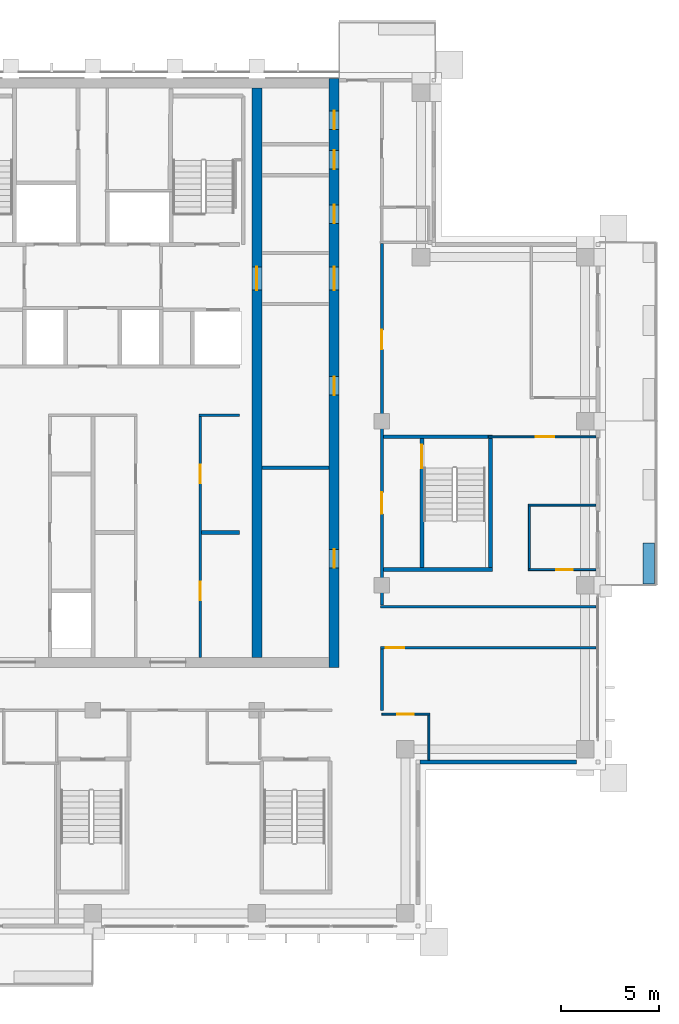
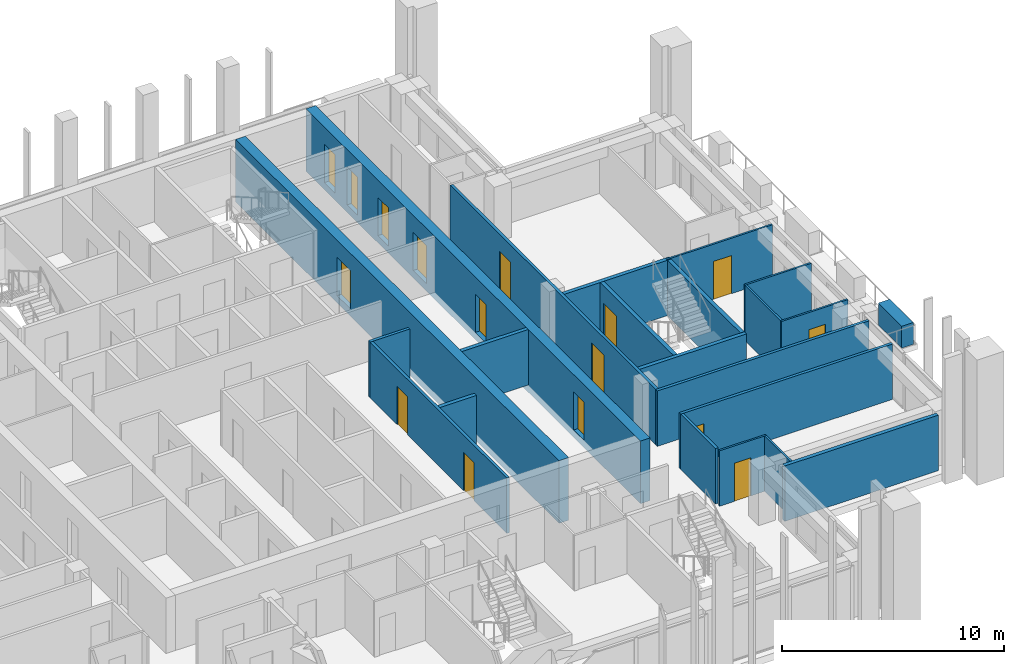
# One storey, part 9 of 16: 22 walls, 16 doors, 16 openings.
"""IFC4 building model written with IfcOpenShell, lengths in metres."""

from ifc_helpers import new_model, si_unit, direction, frame, frame_2d, origin, place, context, subcontext, project, spatial, rectangle, extrude, material, layer, layer_set, type_object, element, fill, save


model = new_model("IFC4")

# Units and contexts
model_context = context("Model", 3, precision=1e-05, world=origin(), true_north=direction((0.0, 1.0)))
body_context = subcontext(model_context, "Body", "Model", "MODEL_VIEW")
ifc_project = project(units=[si_unit("LENGTHUNIT", "METRE"), si_unit("AREAUNIT", "SQUARE_METRE"), si_unit("VOLUMEUNIT", "CUBIC_METRE"), si_unit("PLANEANGLEUNIT", "RADIAN"), si_unit("MASSUNIT", "GRAM", prefix="KILO")], contexts=[model_context])

# Site, building, storey
site_placement = place(None, origin())
site = spatial("IfcSite", under=ifc_project, at=site_placement, CompositionType="ELEMENT")
building_placement = place(site_placement, origin())
building = spatial("IfcBuilding", under=site, at=building_placement, Name="Vermilion Ogive Tower", CompositionType="ELEMENT")
storey_placement = place(building_placement, frame((0.0, 0.0, 247.60009765625)))
storey = spatial("IfcBuildingStorey", under=building, at=storey_placement, Name="L65", CompositionType="ELEMENT", Elevation=247.60009765625)

# Wall, openings, doors
ifc_material_1 = material(Name="Concrete B60", Category="concrete")
ifc_layer_1 = layer(ifc_material_1, 0.5)
ifc_layer_set_1 = layer_set([ifc_layer_1], Name="Core wall 500 B60")
wall_type_1 = type_object("IfcWallType", Name="Core wall 500 B60", PredefinedType="SHEAR", material=ifc_layer_set_1)
wall_1_placement = place(storey_placement, frame((12.35009765625, -8.39990234375, -0.400146484375), z_axis=(0.0, 0.0, 1.0), x_axis=(0.0, 1.0, 0.0)))
wall_1 = element("IfcWall", 1, at=wall_1_placement, inside=storey, type_object=wall_type_1, Name="L65-CORE-E", PredefinedType="SHEAR", context=body_context, shape_type="SweptSolid", body=[
    extrude(rectangle(XDim=30.14990234375, YDim=0.5, at=frame_2d((15.074951171875, 0.0))), origin(), (0.0, 0.0, 1.0), 3.449951171875),
])
opening_1_placement = place(wall_1_placement, frame((5.0830078125, 0.0, 0.39990234375)))
opening_1 = element("IfcOpeningElement", 2, at=opening_1_placement, cuts=wall_1, Name="Opening DAC117", PredefinedType="OPENING", context=body_context, shape_type="SweptSolid", body=[
    extrude(rectangle(XDim=0.949951171875, YDim=2.10009765625, at=frame_2d((0.47509765625, 1.050048828125))), frame((0.0, 0.260009765625, 0.0), z_axis=(0.0, -1.0, 0.0), x_axis=(1.0, 0.0, 0.0)), (0.0, 0.0, 1.0), 0.52001953125),
])
opening_2_placement = place(wall_1_placement, frame((13.932861328125, 0.0, 0.39990234375)))
opening_2 = element("IfcOpeningElement", 3, at=opening_2_placement, cuts=wall_1, Name="Opening DAC118", PredefinedType="OPENING", context=body_context, shape_type="SweptSolid", body=[
    extrude(rectangle(XDim=0.949951171875, YDim=2.10009765625, at=frame_2d((0.47509765625, 1.050048828125))), frame((0.0, 0.260009765625, 0.0), z_axis=(0.0, -1.0, 0.0), x_axis=(1.0, 0.0, 0.0)), (0.0, 0.0, 1.0), 0.52001953125),
])
opening_3_placement = place(wall_1_placement, frame((22.718994140625, 0.0, 0.39990234375)))
opening_3 = element("IfcOpeningElement", 4, at=opening_3_placement, cuts=wall_1, Name="Opening DAC119", PredefinedType="OPENING", context=body_context, shape_type="SweptSolid", body=[
    extrude(rectangle(XDim=0.949951171875, YDim=2.10009765625, at=frame_2d((0.47509765625, 1.050048828125))), frame((0.0, 0.260009765625, 0.0), z_axis=(0.0, -1.0, 0.0), x_axis=(1.0, 0.0, 0.0)), (0.0, 0.0, 1.0), 0.52001953125),
])
opening_4_placement = place(wall_1_placement, frame((25.505615234375, 0.0, 0.39990234375)))
opening_4 = element("IfcOpeningElement", 5, at=opening_4_placement, cuts=wall_1, Name="Opening DAC120", PredefinedType="OPENING", context=body_context, shape_type="SweptSolid", body=[
    extrude(rectangle(XDim=0.949951171875, YDim=2.10009765625, at=frame_2d((0.47509765625, 1.050048828125))), frame((0.0, 0.260009765625, 0.0), z_axis=(0.0, -1.0, 0.0), x_axis=(1.0, 0.0, 0.0)), (0.0, 0.0, 1.0), 0.52001953125),
])
opening_5_placement = place(wall_1_placement, frame((27.53662109375, 0.0, 0.39990234375)))
opening_5 = element("IfcOpeningElement", 6, at=opening_5_placement, cuts=wall_1, Name="Opening DAC121", PredefinedType="OPENING", context=body_context, shape_type="SweptSolid", body=[
    extrude(rectangle(XDim=0.949951171875, YDim=2.10009765625, at=frame_2d((0.47509765625, 1.050048828125))), frame((0.0, 0.260009765625, 0.0), z_axis=(0.0, -1.0, 0.0), x_axis=(1.0, 0.0, 0.0)), (0.0, 0.0, 1.0), 0.52001953125),
])
opening_6_placement = place(wall_1_placement, frame((19.300048828125, 0.0, 0.39990234375)))
opening_6 = element("IfcOpeningElement", 7, at=opening_6_placement, cuts=wall_1, Name="Opening DAL027", PredefinedType="OPENING", context=body_context, shape_type="SweptSolid", body=[
    extrude(rectangle(XDim=1.199951171875, YDim=2.10009765625, at=frame_2d((0.60009765625, 1.050048828125))), frame((0.0, 0.260009765625, 0.0), z_axis=(0.0, -1.0, 0.0), x_axis=(1.0, 0.0, 0.0)), (0.0, 0.0, 1.0), 0.52001953125),
])
ifc_material_2 = material(Name="Timber door leaf", Category="wood")
door_type_1 = type_object("IfcDoorType", Name="Link door 1200 x 2100 FD60S", OperationType="SINGLE_SWING_LEFT", PredefinedType="DOOR", material=ifc_material_2)
door_1_placement = place(opening_6_placement, origin())
door_1 = element("IfcDoor", 8, at=door_1_placement, inside=storey, type_object=door_type_1, Name="L65-CKE-XL", OperationType="SINGLE_SWING_LEFT", OverallHeight=2.10009765625, OverallWidth=1.199951171875, PredefinedType="DOOR", context=body_context, shape_type="SweptSolid", body=[
    extrude(rectangle(XDim=1.199951171875, YDim=2.10009765625, at=frame_2d((0.60009765625, 1.050048828125))), frame((0.0, 0.02490234375, 0.0), z_axis=(0.0, -1.0, 0.0), x_axis=(1.0, 0.0, 0.0)), (0.0, 0.0, 1.0), 0.050048828125),
])
fill(opening_6, door_1)
ifc_material_3 = material(Name="Timber door leaf", Category="wood")
door_type_2 = type_object("IfcDoorType", Name="Service door 950 x 2100 FD60", OperationType="SINGLE_SWING_LEFT", PredefinedType="DOOR", material=ifc_material_3)
door_2_placement = place(opening_1_placement, origin())
door_2 = element("IfcDoor", 9, at=door_2_placement, inside=storey, type_object=door_type_2, Name="L65-CKE-XR0", OperationType="SINGLE_SWING_LEFT", OverallHeight=2.10009765625, OverallWidth=0.949951171875, PredefinedType="DOOR", context=body_context, shape_type="SweptSolid", body=[
    extrude(rectangle(XDim=0.949951171875, YDim=2.10009765625, at=frame_2d((0.47509765625, 1.050048828125))), frame((0.0, 0.02490234375, 0.0), z_axis=(0.0, -1.0, 0.0), x_axis=(1.0, 0.0, 0.0)), (0.0, 0.0, 1.0), 0.050048828125),
])
fill(opening_1, door_2)
door_3_placement = place(opening_2_placement, origin())
door_3 = element("IfcDoor", 10, at=door_3_placement, inside=storey, type_object=door_type_2, Name="L65-CKE-XR1", OperationType="SINGLE_SWING_LEFT", OverallHeight=2.10009765625, OverallWidth=0.949951171875, PredefinedType="DOOR", context=body_context, shape_type="SweptSolid", body=[
    extrude(rectangle(XDim=0.949951171875, YDim=2.10009765625, at=frame_2d((0.47509765625, 1.050048828125))), frame((0.0, 0.02490234375, 0.0), z_axis=(0.0, -1.0, 0.0), x_axis=(1.0, 0.0, 0.0)), (0.0, 0.0, 1.0), 0.050048828125),
])
fill(opening_2, door_3)
door_4_placement = place(opening_3_placement, origin())
door_4 = element("IfcDoor", 11, at=door_4_placement, inside=storey, type_object=door_type_2, Name="L65-CKE-XR2", OperationType="SINGLE_SWING_LEFT", OverallHeight=2.10009765625, OverallWidth=0.949951171875, PredefinedType="DOOR", context=body_context, shape_type="SweptSolid", body=[
    extrude(rectangle(XDim=0.949951171875, YDim=2.10009765625, at=frame_2d((0.47509765625, 1.050048828125))), frame((0.0, 0.02490234375, 0.0), z_axis=(0.0, -1.0, 0.0), x_axis=(1.0, 0.0, 0.0)), (0.0, 0.0, 1.0), 0.050048828125),
])
fill(opening_3, door_4)
door_5_placement = place(opening_4_placement, origin())
door_5 = element("IfcDoor", 12, at=door_5_placement, inside=storey, type_object=door_type_2, Name="L65-CKE-XR3", OperationType="SINGLE_SWING_LEFT", OverallHeight=2.10009765625, OverallWidth=0.949951171875, PredefinedType="DOOR", context=body_context, shape_type="SweptSolid", body=[
    extrude(rectangle(XDim=0.949951171875, YDim=2.10009765625, at=frame_2d((0.47509765625, 1.050048828125))), frame((0.0, 0.02490234375, 0.0), z_axis=(0.0, -1.0, 0.0), x_axis=(1.0, 0.0, 0.0)), (0.0, 0.0, 1.0), 0.050048828125),
])
fill(opening_4, door_5)
door_6_placement = place(opening_5_placement, origin())
door_6 = element("IfcDoor", 13, at=door_6_placement, inside=storey, type_object=door_type_2, Name="L65-CKE-XR4", OperationType="SINGLE_SWING_LEFT", OverallHeight=2.10009765625, OverallWidth=0.949951171875, PredefinedType="DOOR", context=body_context, shape_type="SweptSolid", body=[
    extrude(rectangle(XDim=0.949951171875, YDim=2.10009765625, at=frame_2d((0.47509765625, 1.050048828125))), frame((0.0, 0.02490234375, 0.0), z_axis=(0.0, -1.0, 0.0), x_axis=(1.0, 0.0, 0.0)), (0.0, 0.0, 1.0), 0.050048828125),
])
fill(opening_5, door_6)

# Wall, opening, door
wall_2_placement = place(storey_placement, frame((8.39990234375, -7.89990234375, -0.400146484375), z_axis=(0.0, 0.0, 1.0), x_axis=(0.0, 1.0, 0.0)))
wall_2 = element("IfcWall", 14, at=wall_2_placement, inside=storey, type_object=wall_type_1, Name="L65-CORE-WEB2", PredefinedType="SHEAR", context=body_context, shape_type="SweptSolid", body=[
    extrude(rectangle(XDim=29.14990234375, YDim=0.5, at=frame_2d((14.574951171875, 0.0))), origin(), (0.0, 0.0, 1.0), 3.449951171875),
])
opening_7_placement = place(wall_2_placement, frame((18.800048828125, 0.0, 0.39990234375)))
opening_7 = element("IfcOpeningElement", 15, at=opening_7_placement, cuts=wall_2, Name="Opening DAO022", PredefinedType="OPENING", context=body_context, shape_type="SweptSolid", body=[
    extrude(rectangle(XDim=1.199951171875, YDim=2.10009765625, at=frame_2d((0.60009765625, 1.050048828125))), frame((0.0, 0.260009765625, 0.0), z_axis=(0.0, -1.0, 0.0), x_axis=(1.0, 0.0, 0.0)), (0.0, 0.0, 1.0), 0.52001953125),
])
door_7_placement = place(opening_7_placement, origin())
door_7 = element("IfcDoor", 16, at=door_7_placement, inside=storey, type_object=door_type_1, Name="L65-CKE-XW", OperationType="SINGLE_SWING_LEFT", OverallHeight=2.10009765625, OverallWidth=1.199951171875, PredefinedType="DOOR", context=body_context, shape_type="SweptSolid", body=[
    extrude(rectangle(XDim=1.199951171875, YDim=2.10009765625, at=frame_2d((0.60009765625, 1.050048828125))), frame((0.0, 0.02490234375, 0.0), z_axis=(0.0, -1.0, 0.0), x_axis=(1.0, 0.0, 0.0)), (0.0, 0.0, 1.0), 0.050048828125),
])
fill(opening_7, door_7)

ifc_material_4 = material(Name="Gypsum board partition on steel studs", Category="steel")
ifc_layer_2 = layer(ifc_material_4, 0.10009765625)
ifc_layer_set_2 = layer_set([ifc_layer_2], Name="Partition 100 bath")
wall_type_2 = type_object("IfcWallType", Name="Partition 100 bath", PredefinedType="PARTITIONING", material=ifc_layer_set_2)
wall_3_placement = place(storey_placement, frame((14.800048828125, -10.800048828125, 0.0), z_axis=(0.0, 0.0, 1.0), x_axis=(1.0, 0.0, 0.0)))
wall_3 = element("IfcWall", 17, at=wall_3_placement, inside=storey, type_object=wall_type_2, Name="L65-W-W007", PredefinedType="PARTITIONING", context=body_context, shape_type="SweptSolid", body=[
    extrude(rectangle(XDim=2.449951171875, YDim=0.10009765625, at=frame_2d((1.22509765625, 0.0))), origin(), (0.0, 0.0, 1.0), 3.0498046875),
])
opening_8_placement = place(wall_3_placement, frame((0.77490234375, 0.0, 0.0)))
opening_8 = element("IfcOpeningElement", 18, at=opening_8_placement, cuts=wall_3, Name="Opening D5G4013", PredefinedType="OPENING", context=body_context, shape_type="SweptSolid", body=[
    extrude(rectangle(XDim=0.85009765625, YDim=2.10009765625, at=frame_2d((0.425048828125, 1.050048828125))), frame((0.0, 0.06005859375, 0.0), z_axis=(0.0, -1.0, 0.0), x_axis=(1.0, 0.0, 0.0)), (0.0, 0.0, 1.0), 0.1201171875),
])
ifc_material_5 = material(Name="Timber door leaf", Category="wood")
door_type_3 = type_object("IfcDoorType", Name="Bath door 850 x 2100 FD30", OperationType="SINGLE_SWING_LEFT", PredefinedType="DOOR", material=ifc_material_5)
door_8_placement = place(opening_8_placement, origin())
door_8 = element("IfcDoor", 19, at=door_8_placement, inside=storey, type_object=door_type_3, Name="L65-D-D013", OperationType="SINGLE_SWING_RIGHT", OverallHeight=2.10009765625, OverallWidth=0.85009765625, PredefinedType="DOOR", context=body_context, shape_type="SweptSolid", body=[
    extrude(rectangle(XDim=0.85009765625, YDim=2.10009765625, at=frame_2d((0.425048828125, 1.050048828125))), frame((0.0, 0.02490234375, 0.0), z_axis=(0.0, -1.0, 0.0), x_axis=(1.0, 0.0, 0.0)), (0.0, 0.0, 1.0), 0.050048828125),
])
fill(opening_8, door_8)

wall_4_placement = place(storey_placement, frame((22.302001953125, -3.39990234375, 0.0), z_axis=(0.0, 0.0, 1.0), x_axis=(1.0, 0.0, 0.0)))
wall_4 = element("IfcWall", 20, at=wall_4_placement, inside=storey, type_object=wall_type_2, Name="L65-W-W021", PredefinedType="PARTITIONING", context=body_context, shape_type="SweptSolid", body=[
    extrude(rectangle(XDim=3.447998046875, YDim=0.10009765625, at=frame_2d((1.72412109375, 0.0))), origin(), (0.0, 0.0, 1.0), 3.0498046875),
])
opening_9_placement = place(wall_4_placement, frame((1.423095703125, 0.0, 0.0)))
opening_9 = element("IfcOpeningElement", 21, at=opening_9_placement, cuts=wall_4, Name="Opening D5G4017", PredefinedType="OPENING", context=body_context, shape_type="SweptSolid", body=[
    extrude(rectangle(XDim=0.85009765625, YDim=2.10009765625, at=frame_2d((0.425048828125, 1.050048828125))), frame((0.0, 0.06005859375, 0.0), z_axis=(0.0, -1.0, 0.0), x_axis=(1.0, 0.0, 0.0)), (0.0, 0.0, 1.0), 0.1201171875),
])
door_9_placement = place(opening_9_placement, origin())
door_9 = element("IfcDoor", 22, at=door_9_placement, inside=storey, type_object=door_type_3, Name="L65-D-D017", OperationType="SINGLE_SWING_LEFT", OverallHeight=2.10009765625, OverallWidth=0.85009765625, PredefinedType="DOOR", context=body_context, shape_type="SweptSolid", body=[
    extrude(rectangle(XDim=0.85009765625, YDim=2.10009765625, at=frame_2d((0.425048828125, 1.050048828125))), frame((0.0, 0.02490234375, 0.0), z_axis=(0.0, -1.0, 0.0), x_axis=(1.0, 0.0, 0.0)), (0.0, 0.0, 1.0), 0.050048828125),
])
fill(opening_9, door_9)

# Walls
wall_5_placement = place(storey_placement, frame((22.302001953125, -0.10009765625, 0.0), z_axis=(0.0, 0.0, 1.0), x_axis=(1.0, 0.0, 0.0)))
element("IfcWall", 23, at=wall_5_placement, inside=storey, type_object=wall_type_2, Name="L65-W-W023", PredefinedType="PARTITIONING", context=body_context, shape_type="SweptSolid", body=[
    extrude(rectangle(XDim=3.447998046875, YDim=0.10009765625, at=frame_2d((1.72412109375, 0.0))), origin(), (0.0, 0.0, 1.0), 3.0498046875),
])
wall_6_placement = place(storey_placement, frame((17.199951171875, -13.14990234375, 0.0), z_axis=(0.0, 0.0, 1.0), x_axis=(0.0, 1.0, 0.0)))
element("IfcWall", 24, at=wall_6_placement, inside=storey, type_object=wall_type_2, Name="L65-W-W060", PredefinedType="PARTITIONING", context=body_context, shape_type="SweptSolid", body=[
    extrude(rectangle(XDim=2.2998046875, YDim=0.10009765625, at=frame_2d((1.14990234375, 0.0))), origin(), (0.0, 0.0, 1.0), 3.0498046875),
])
wall_7_placement = place(storey_placement, frame((22.35009765625, -3.347900390625, 0.0), z_axis=(0.0, 0.0, 1.0), x_axis=(0.0, 1.0, 0.0)))
element("IfcWall", 25, at=wall_7_placement, inside=storey, type_object=wall_type_2, Name="L65-W-W063", PredefinedType="PARTITIONING", context=body_context, shape_type="SweptSolid", body=[
    extrude(rectangle(XDim=3.19580078125, YDim=0.10009765625, at=frame_2d((1.597900390625, 0.0))), origin(), (0.0, 0.0, 1.0), 3.0498046875),
])

# Wall, opening, door
ifc_material_6 = material(Name="Gypsum board partition on steel studs", Category="steel")
ifc_layer_3 = layer(ifc_material_6, 0.10009765625)
ifc_layer_set_3 = layer_set([ifc_layer_3], Name="Partition 100 inner")
wall_type_3 = type_object("IfcWallType", Name="Partition 100 inner", PredefinedType="PARTITIONING", material=ifc_layer_set_3)
wall_8_placement = place(storey_placement, frame((20.25, 3.39990234375, 0.0), z_axis=(0.0, 0.0, 1.0), x_axis=(1.0, 0.0, 0.0)))
wall_8 = element("IfcWall", 26, at=wall_8_placement, inside=storey, type_object=wall_type_3, Name="L65-W-W027", PredefinedType="PARTITIONING", context=body_context, shape_type="SweptSolid", body=[
    extrude(rectangle(XDim=5.5, YDim=0.10009765625, at=frame_2d((2.75, 0.0))), origin(), (0.0, 0.0, 1.0), 3.0498046875),
])
opening_10_placement = place(wall_8_placement, frame((2.425048828125, 0.0, 0.0)))
opening_10 = element("IfcOpeningElement", 27, at=opening_10_placement, cuts=wall_8, Name="Opening D5G4016", PredefinedType="OPENING", context=body_context, shape_type="SweptSolid", body=[
    extrude(rectangle(XDim=0.949951171875, YDim=2.10009765625, at=frame_2d((0.47509765625, 1.050048828125))), frame((0.0, 0.06005859375, 0.0), z_axis=(0.0, -1.0, 0.0), x_axis=(1.0, 0.0, 0.0)), (0.0, 0.0, 1.0), 0.1201171875),
])
ifc_material_7 = material(Name="Timber door leaf", Category="wood")
door_type_4 = type_object("IfcDoorType", Name="Inner door 950 x 2100 FD30", OperationType="SINGLE_SWING_LEFT", PredefinedType="DOOR", material=ifc_material_7)
door_10_placement = place(opening_10_placement, origin())
door_10 = element("IfcDoor", 28, at=door_10_placement, inside=storey, type_object=door_type_4, Name="L65-D-D016", OperationType="SINGLE_SWING_LEFT", OverallHeight=2.10009765625, OverallWidth=0.949951171875, PredefinedType="DOOR", context=body_context, shape_type="SweptSolid", body=[
    extrude(rectangle(XDim=0.949951171875, YDim=2.10009765625, at=frame_2d((0.47509765625, 1.050048828125))), frame((0.0, 0.02490234375, 0.0), z_axis=(0.0, -1.0, 0.0), x_axis=(1.0, 0.0, 0.0)), (0.0, 0.0, 1.0), 0.050048828125),
])
fill(opening_10, door_10)

ifc_material_8 = material(Name="Gypsum board partition on steel studs", Category="steel")
ifc_layer_4 = layer(ifc_material_8, 0.14990234375)
ifc_layer_set_4 = layer_set([ifc_layer_4], Name="Partition 150 corridor")
wall_type_4 = type_object("IfcWallType", Name="Partition 150 corridor", PredefinedType="PARTITIONING", material=ifc_layer_set_4)
wall_9_placement = place(storey_placement, frame((14.72509765625, -7.39990234375, 0.0), z_axis=(0.0, 0.0, 1.0), x_axis=(1.0, 0.0, 0.0)))
wall_9 = element("IfcWall", 29, at=wall_9_placement, inside=storey, type_object=wall_type_4, Name="L65-W-W015", PredefinedType="PARTITIONING", context=body_context, shape_type="SweptSolid", body=[
    extrude(rectangle(XDim=11.02490234375, YDim=0.14990234375, at=frame_2d((5.512451171875, 0.0))), origin(), (0.0, 0.0, 1.0), 3.0498046875),
])
opening_11_placement = place(wall_9_placement, frame((0.27490234375, 0.0, 0.0)))
opening_11 = element("IfcOpeningElement", 30, at=opening_11_placement, cuts=wall_9, Name="Opening D5G4012", PredefinedType="OPENING", context=body_context, shape_type="SweptSolid", body=[
    extrude(rectangle(XDim=0.949951171875, YDim=2.10009765625, at=frame_2d((0.47509765625, 1.050048828125))), frame((0.0, 0.0849609375, 0.0), z_axis=(0.0, -1.0, 0.0), x_axis=(1.0, 0.0, 0.0)), (0.0, 0.0, 1.0), 0.169921875),
])
ifc_material_9 = material(Name="Timber door leaf", Category="wood")
door_type_5 = type_object("IfcDoorType", Name="Unit door 950 x 2100 FD30S", OperationType="SINGLE_SWING_LEFT", PredefinedType="DOOR", material=ifc_material_9)
door_11_placement = place(opening_11_placement, origin())
door_11 = element("IfcDoor", 31, at=door_11_placement, inside=storey, type_object=door_type_5, Name="L65-D-D012", OperationType="SINGLE_SWING_RIGHT", OverallHeight=2.10009765625, OverallWidth=0.949951171875, PredefinedType="DOOR", context=body_context, shape_type="SweptSolid", body=[
    extrude(rectangle(XDim=0.949951171875, YDim=2.10009765625, at=frame_2d((0.47509765625, 1.050048828125))), frame((0.0, 0.02490234375, 0.0), z_axis=(0.0, -1.0, 0.0), x_axis=(1.0, 0.0, 0.0)), (0.0, 0.0, 1.0), 0.050048828125),
])
fill(opening_11, door_11)

# Walls
wall_10_placement = place(storey_placement, frame((14.72705078125, -5.300048828125, 0.0), z_axis=(0.0, 0.0, 1.0), x_axis=(1.0, 0.0, 0.0)))
element("IfcWall", 32, at=wall_10_placement, inside=storey, type_object=wall_type_4, Name="L65-W-W017", PredefinedType="PARTITIONING", context=body_context, shape_type="SweptSolid", body=[
    extrude(rectangle(XDim=11.02294921875, YDim=0.14990234375, at=frame_2d((5.511474609375, 0.0))), origin(), (0.0, 0.0, 1.0), 3.0498046875),
])
wall_11_placement = place(storey_placement, frame((14.800048828125, -10.60009765625, 0.0), z_axis=(0.0, 0.0, 1.0), x_axis=(0.0, 1.0, 0.0)))
element("IfcWall", 33, at=wall_11_placement, inside=storey, type_object=wall_type_4, Name="L65-W-W055", PredefinedType="PARTITIONING", context=body_context, shape_type="SweptSolid", body=[
    extrude(rectangle(XDim=3.125, YDim=0.14990234375, at=frame_2d((1.5625, 0.0))), origin(), (0.0, 0.0, 1.0), 3.0498046875),
])

# Wall, openings, doors
wall_12_placement = place(storey_placement, frame((14.800048828125, -5.222900390625, 0.0), z_axis=(0.0, 0.0, 1.0), x_axis=(0.0, 1.0, 0.0)))
wall_12 = element("IfcWall", 34, at=wall_12_placement, inside=storey, type_object=wall_type_4, Name="L65-W-W056", PredefinedType="PARTITIONING", context=body_context, shape_type="SweptSolid", body=[
    extrude(rectangle(XDim=18.52294921875, YDim=0.14990234375, at=frame_2d((9.261474609375, 0.0))), origin(), (0.0, 0.0, 1.0), 3.0498046875),
])
opening_12_placement = place(wall_12_placement, frame((13.097900390625, 0.0, 0.0)))
opening_12 = element("IfcOpeningElement", 35, at=opening_12_placement, cuts=wall_12, Name="Opening D5G4015", PredefinedType="OPENING", context=body_context, shape_type="SweptSolid", body=[
    extrude(rectangle(XDim=1.0, YDim=2.10009765625, at=frame_2d((0.5, 1.050048828125))), frame((0.0, 0.0849609375, 0.0), z_axis=(0.0, -1.0, 0.0), x_axis=(1.0, 0.0, 0.0)), (0.0, 0.0, 1.0), 0.169921875),
])
opening_13_placement = place(wall_12_placement, frame((4.6728515625, 0.0, 0.0)))
opening_13 = element("IfcOpeningElement", 36, at=opening_13_placement, cuts=wall_12, Name="Opening D5G4026", PredefinedType="OPENING", context=body_context, shape_type="SweptSolid", body=[
    extrude(rectangle(XDim=1.10009765625, YDim=2.10009765625, at=frame_2d((0.550048828125, 1.050048828125))), frame((0.0, 0.0849609375, 0.0), z_axis=(0.0, -1.0, 0.0), x_axis=(1.0, 0.0, 0.0)), (0.0, 0.0, 1.0), 0.169921875),
])
ifc_material_10 = material(Name="Timber door leaf", Category="wood")
door_type_6 = type_object("IfcDoorType", Name="Stair door 1100 x 2100 FD60S", OperationType="SINGLE_SWING_LEFT", PredefinedType="DOOR", material=ifc_material_10)
door_12_placement = place(opening_13_placement, origin())
door_12 = element("IfcDoor", 37, at=door_12_placement, inside=storey, type_object=door_type_6, Name="L65-D-D026", OperationType="SINGLE_SWING_RIGHT", OverallHeight=2.10009765625, OverallWidth=1.10009765625, PredefinedType="DOOR", context=body_context, shape_type="SweptSolid", body=[
    extrude(rectangle(XDim=1.10009765625, YDim=2.10009765625, at=frame_2d((0.550048828125, 1.050048828125))), frame((0.0, 0.02490234375, 0.0), z_axis=(0.0, -1.0, 0.0), x_axis=(1.0, 0.0, 0.0)), (0.0, 0.0, 1.0), 0.050048828125),
])
fill(opening_13, door_12)
ifc_material_11 = material(Name="Timber door leaf", Category="wood")
door_type_7 = type_object("IfcDoorType", Name="Unit door 1000 x 2100 FD30S", OperationType="SINGLE_SWING_LEFT", PredefinedType="DOOR", material=ifc_material_11)
door_13_placement = place(opening_12_placement, origin())
door_13 = element("IfcDoor", 38, at=door_13_placement, inside=storey, type_object=door_type_7, Name="L65-D-D015", OperationType="SINGLE_SWING_RIGHT", OverallHeight=2.10009765625, OverallWidth=1.0, PredefinedType="DOOR", context=body_context, shape_type="SweptSolid", body=[
    extrude(rectangle(XDim=1.0, YDim=2.10009765625, at=frame_2d((0.5, 1.050048828125))), frame((0.0, 0.02490234375, 0.0), z_axis=(0.0, -1.0, 0.0), x_axis=(1.0, 0.0, 0.0)), (0.0, 0.0, 1.0), 0.050048828125),
])
fill(opening_12, door_13)

# Wall
wall_13_placement = place(storey_placement, frame((5.425048828125, 4.5, 0.0), z_axis=(0.0, 0.0, 1.0), x_axis=(1.0, 0.0, 0.0)))
element("IfcWall", 39, at=wall_13_placement, inside=storey, type_object=wall_type_4, Name="L65-CK-W-W010", PredefinedType="PARTITIONING", context=body_context, shape_type="SweptSolid", body=[
    extrude(rectangle(XDim=2.074951171875, YDim=0.14990234375, at=frame_2d((1.03759765625, 0.0))), origin(), (0.0, 0.0, 1.0), 3.0498046875),
])

# Wall, openings, doors
wall_14_placement = place(storey_placement, frame((5.5, -7.89892578125, 0.0), z_axis=(0.0, 0.0, 1.0), x_axis=(0.0, 1.0, 0.0)))
wall_14 = element("IfcWall", 40, at=wall_14_placement, inside=storey, type_object=wall_type_4, Name="L65-CK-W-W038", PredefinedType="PARTITIONING", context=body_context, shape_type="SweptSolid", body=[
    extrude(rectangle(XDim=12.323974609375, YDim=0.14990234375, at=frame_2d((6.162109375, 0.0))), origin(), (0.0, 0.0, 1.0), 3.0498046875),
])
opening_14_placement = place(wall_14_placement, frame((2.923828125, 0.0, 0.0)))
opening_14 = element("IfcOpeningElement", 41, at=opening_14_placement, cuts=wall_14, Name="Opening DAA618", PredefinedType="OPENING", context=body_context, shape_type="SweptSolid", body=[
    extrude(rectangle(XDim=0.949951171875, YDim=2.10009765625, at=frame_2d((0.47509765625, 1.050048828125))), frame((0.0, 0.0849609375, 0.0), z_axis=(0.0, -1.0, 0.0), x_axis=(1.0, 0.0, 0.0)), (0.0, 0.0, 1.0), 0.169921875),
])
opening_15_placement = place(wall_14_placement, frame((8.923828125, 0.0, 0.0)))
opening_15 = element("IfcOpeningElement", 42, at=opening_15_placement, cuts=wall_14, Name="Opening DAA619", PredefinedType="OPENING", context=body_context, shape_type="SweptSolid", body=[
    extrude(rectangle(XDim=0.949951171875, YDim=2.10009765625, at=frame_2d((0.47509765625, 1.050048828125))), frame((0.0, 0.0849609375, 0.0), z_axis=(0.0, -1.0, 0.0), x_axis=(1.0, 0.0, 0.0)), (0.0, 0.0, 1.0), 0.169921875),
])
door_14_placement = place(opening_14_placement, origin())
door_14 = element("IfcDoor", 43, at=door_14_placement, inside=storey, type_object=door_type_2, Name="L65-CK-D-D010", OperationType="SINGLE_SWING_LEFT", OverallHeight=2.10009765625, OverallWidth=0.949951171875, PredefinedType="DOOR", context=body_context, shape_type="SweptSolid", body=[
    extrude(rectangle(XDim=0.949951171875, YDim=2.10009765625, at=frame_2d((0.47509765625, 1.050048828125))), frame((0.0, 0.02490234375, 0.0), z_axis=(0.0, -1.0, 0.0), x_axis=(1.0, 0.0, 0.0)), (0.0, 0.0, 1.0), 0.050048828125),
])
fill(opening_14, door_14)
door_15_placement = place(opening_15_placement, origin())
door_15 = element("IfcDoor", 44, at=door_15_placement, inside=storey, type_object=door_type_2, Name="L65-CK-D-D011", OperationType="SINGLE_SWING_LEFT", OverallHeight=2.10009765625, OverallWidth=0.949951171875, PredefinedType="DOOR", context=body_context, shape_type="SweptSolid", body=[
    extrude(rectangle(XDim=0.949951171875, YDim=2.10009765625, at=frame_2d((0.47509765625, 1.050048828125))), frame((0.0, 0.02490234375, 0.0), z_axis=(0.0, -1.0, 0.0), x_axis=(1.0, 0.0, 0.0)), (0.0, 0.0, 1.0), 0.050048828125),
])
fill(opening_15, door_15)

# Walls
ifc_material_12 = material(Name="Gypsum board partition on steel studs", Category="steel")
ifc_layer_5 = layer(ifc_material_12, 0.199951171875)
ifc_layer_set_5 = layer_set([ifc_layer_5], Name="Partition 200 party")
wall_type_5 = type_object("IfcWallType", Name="Partition 200 party", PredefinedType="PARTITIONING", material=ifc_layer_set_5)
wall_15_placement = place(storey_placement, frame((5.574951171875, -1.5, 0.0), z_axis=(0.0, 0.0, 1.0), x_axis=(1.0, 0.0, 0.0)))
element("IfcWall", 45, at=wall_15_placement, inside=storey, type_object=wall_type_5, Name="L65-CK-W-W005", PredefinedType="PARTITIONING", context=body_context, shape_type="SweptSolid", body=[
    extrude(rectangle(XDim=1.925048828125, YDim=0.199951171875, at=frame_2d((0.96240234375, 0.0))), origin(), (0.0, 0.0, 1.0), 3.0498046875),
])
wall_16_placement = place(storey_placement, frame((8.65087890625, 1.81591796875, 0.0), z_axis=(0.0, 0.0, 1.0), x_axis=(1.0, 0.0, 0.0)))
element("IfcWall", 46, at=wall_16_placement, inside=storey, type_object=wall_type_5, Name="L65-CKE-W-W001", PredefinedType="PARTITIONING", context=body_context, shape_type="SweptSolid", body=[
    extrude(rectangle(XDim=3.4482421875, YDim=0.199951171875, at=frame_2d((1.72412109375, 0.0))), origin(), (0.0, 0.0, 1.0), 3.0498046875),
])
ifc_material_13 = material(Name="Concrete B60", Category="concrete")
ifc_layer_6 = layer(ifc_material_13, 0.199951171875)
ifc_layer_set_6 = layer_set([ifc_layer_6], Name="Stair shaft wall 200 Concrete B60")
wall_type_6 = type_object("IfcWallType", Name="Stair shaft wall 200 Concrete B60", PredefinedType="SOLIDWALL", material=ifc_layer_set_6)
wall_17_placement = place(storey_placement, frame((14.876953125, -3.39990234375, 0.0), z_axis=(0.0, 0.0, 1.0), x_axis=(1.0, 0.0, 0.0)))
element("IfcWall", 47, at=wall_17_placement, inside=storey, type_object=wall_type_6, Name="L65-W-W020", PredefinedType="SOLIDWALL", context=body_context, shape_type="SweptSolid", body=[
    extrude(rectangle(XDim=5.571044921875, YDim=0.199951171875, at=frame_2d((2.78564453125, 0.0))), origin(), (0.0, 0.0, 1.0), 3.0498046875),
])
wall_18_placement = place(storey_placement, frame((14.875, 3.39990234375, 0.0), z_axis=(0.0, 0.0, 1.0), x_axis=(1.0, 0.0, 0.0)))
element("IfcWall", 48, at=wall_18_placement, inside=storey, type_object=wall_type_6, Name="L65-W-W026", PredefinedType="SOLIDWALL", context=body_context, shape_type="SweptSolid", body=[
    extrude(rectangle(XDim=5.574951171875, YDim=0.199951171875, at=frame_2d((2.78759765625, 0.0))), origin(), (0.0, 0.0, 1.0), 3.0498046875),
])

# Wall, opening, door
wall_19_placement = place(storey_placement, frame((16.85009765625, -3.300048828125, 0.0), z_axis=(0.0, 0.0, 1.0), x_axis=(0.0, 1.0, 0.0)))
wall_19 = element("IfcWall", 49, at=wall_19_placement, inside=storey, type_object=wall_type_6, Name="L65-W-W059", PredefinedType="SOLIDWALL", context=body_context, shape_type="SweptSolid", body=[
    extrude(rectangle(XDim=6.60009765625, YDim=0.199951171875, at=frame_2d((3.300048828125, 0.0))), origin(), (0.0, 0.0, 1.0), 3.0498046875),
])
opening_16_placement = place(wall_19_placement, frame((5.10009765625, 0.0, 0.0)))
opening_16 = element("IfcOpeningElement", 50, at=opening_16_placement, cuts=wall_19, Name="Opening D5G4027", PredefinedType="OPENING", context=body_context, shape_type="SweptSolid", body=[
    extrude(rectangle(XDim=1.199951171875, YDim=2.10009765625, at=frame_2d((0.60009765625, 1.050048828125))), frame((0.0, 0.10986328125, 0.0), z_axis=(0.0, -1.0, 0.0), x_axis=(1.0, 0.0, 0.0)), (0.0, 0.0, 1.0), 0.219970703125),
])
ifc_material_14 = material(Name="Timber door leaf", Category="wood")
door_type_8 = type_object("IfcDoorType", Name="Stair door 1200 x 2100 FD60S", OperationType="SINGLE_SWING_LEFT", PredefinedType="DOOR", material=ifc_material_14)
door_16_placement = place(opening_16_placement, origin())
door_16 = element("IfcDoor", 51, at=door_16_placement, inside=storey, type_object=door_type_8, Name="L65-D-D027", OperationType="SINGLE_SWING_LEFT", OverallHeight=2.10009765625, OverallWidth=1.199951171875, PredefinedType="DOOR", context=body_context, shape_type="SweptSolid", body=[
    extrude(rectangle(XDim=1.199951171875, YDim=2.10009765625, at=frame_2d((0.60009765625, 1.050048828125))), frame((0.0, 0.02490234375, 0.0), z_axis=(0.0, -1.0, 0.0), x_axis=(1.0, 0.0, 0.0)), (0.0, 0.0, 1.0), 0.050048828125),
])
fill(opening_16, door_16)

# Walls
wall_20_placement = place(storey_placement, frame((20.35009765625, -3.298095703125, 0.0), z_axis=(0.0, 0.0, 1.0), x_axis=(0.0, 1.0, 0.0)))
element("IfcWall", 52, at=wall_20_placement, inside=storey, type_object=wall_type_6, Name="L65-W-W062", PredefinedType="SOLIDWALL", context=body_context, shape_type="SweptSolid", body=[
    extrude(rectangle(XDim=6.59814453125, YDim=0.199951171875, at=frame_2d((3.299072265625, 0.0))), origin(), (0.0, 0.0, 1.0), 3.0498046875),
])
ifc_material_15 = material(Name="Concrete B40", Category="concrete")
ifc_layer_7 = layer(ifc_material_15, 0.60009765625)
ifc_layer_set_7 = layer_set([ifc_layer_7], Name="Structural planter")
wall_type_7 = type_object("IfcWallType", Name="Structural planter", PredefinedType="USERDEFINED", material=ifc_layer_set_7)
wall_21_placement = place(storey_placement, frame((28.45361328125, -4.139892578125, -0.0400390625), z_axis=(0.0, 0.0, 1.0), x_axis=(0.0, 1.0, 0.0)))
element("IfcWall", 53, at=wall_21_placement, inside=storey, type_object=wall_type_7, Name="Planter E02A1", ObjectType="PLANTER", PredefinedType="USERDEFINED", context=body_context, shape_type="SweptSolid", body=[
    extrude(rectangle(XDim=2.114990234375, YDim=0.60009765625, at=frame_2d((1.0576171875, 0.0))), origin(), (0.0, 0.0, 1.0), 1.199951171875),
])
ifc_material_16 = material(Name="Aluminium window wall framing", Category="aluminium")
ifc_layer_8 = layer(ifc_material_16, 0.199951171875)
ifc_layer_set_8 = layer_set([ifc_layer_8], Name="Window wall")
wall_type_8 = type_object("IfcWallType", Name="Window wall", PredefinedType="STANDARD", material=ifc_layer_set_8)
wall_22_placement = place(storey_placement, frame((16.75, -13.25, 0.0), z_axis=(0.0, 0.0, 1.0), x_axis=(1.0, 0.0, 0.0)))
element("IfcWall", 54, at=wall_22_placement, inside=storey, type_object=wall_type_8, Name="Window wall X21", PredefinedType="STANDARD", context=body_context, shape_type="SweptSolid", body=[
    extrude(rectangle(XDim=8.0, YDim=0.199951171875, at=frame_2d((4.0, 0.0))), origin(), (0.0, 0.0, 1.0), 3.0498046875),
])

save(model, "model.ifc")
